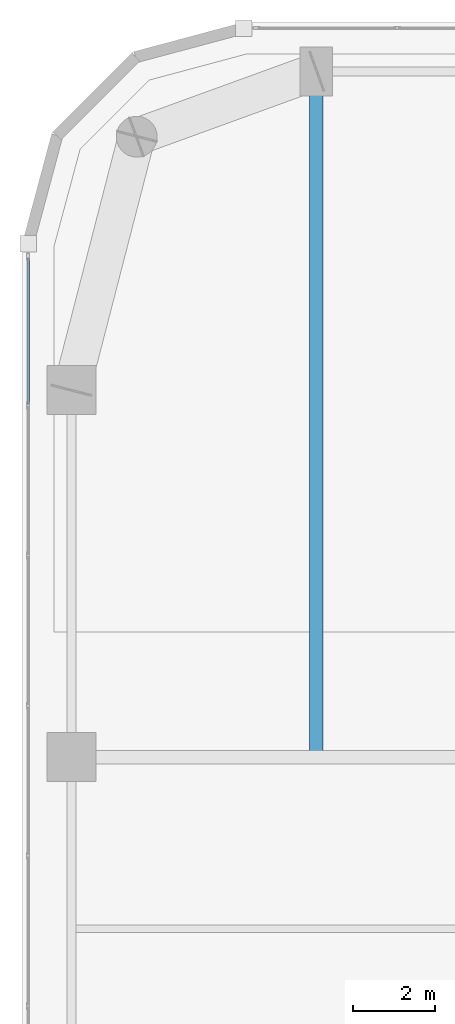
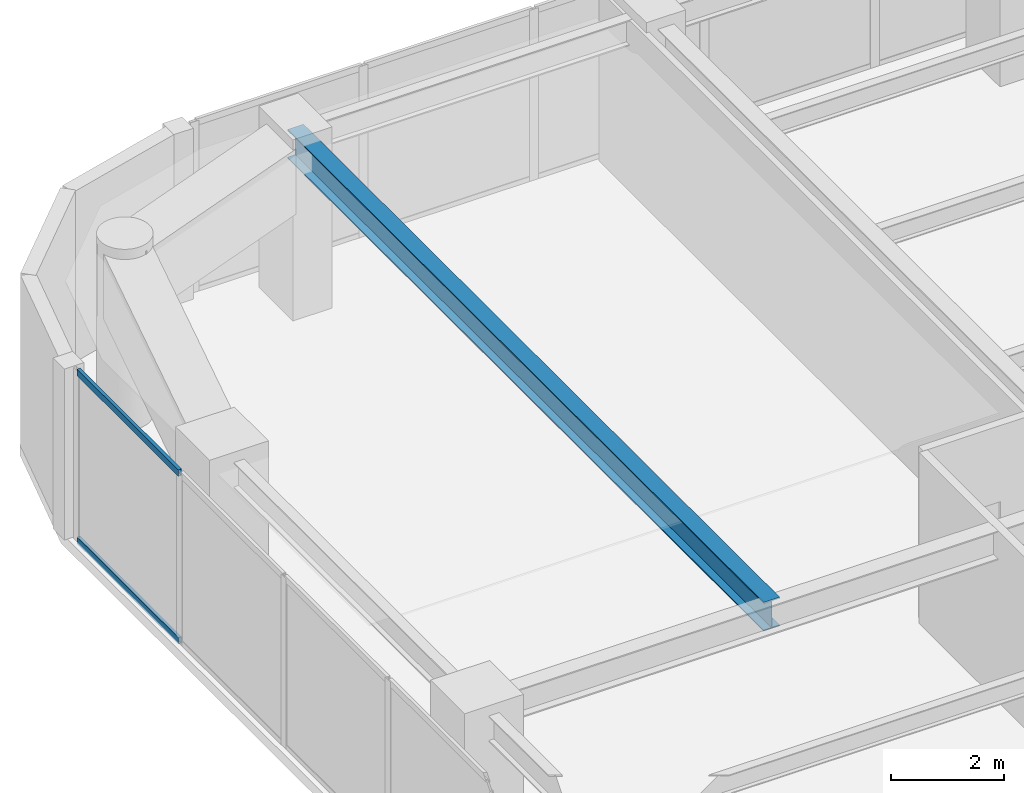
# One storey, part 14 of 30: 2 members, 1 beam, 1 element without a shape of its own.
"""IFC4 building model written with IfcOpenShell, lengths in metres."""

from ifc_helpers import new_model, si_unit, direction, frame, origin, origin_2d, place, context, subcontext, project, spatial, hollow_rectangle, i_section, extrude, material, layer, layer_set, material_profile, profile_set, type_object, element, aggregate, save


model = new_model("IFC4")

# Units and contexts
model_context = context("Model", 3, precision=1e-05, world=origin(), true_north=direction((0.0, 1.0)))
body_context = subcontext(model_context, "Body", "Model", "MODEL_VIEW")
ifc_project = project(units=[si_unit("LENGTHUNIT", "METRE"), si_unit("AREAUNIT", "SQUARE_METRE"), si_unit("VOLUMEUNIT", "CUBIC_METRE"), si_unit("PLANEANGLEUNIT", "RADIAN"), si_unit("MASSUNIT", "GRAM", prefix="KILO")], contexts=[model_context])

# Site, building, storey
site_placement = place(None, origin())
site = spatial("IfcSite", under=ifc_project, at=site_placement, CompositionType="ELEMENT")
building_placement = place(site_placement, origin())
building = spatial("IfcBuilding", under=site, at=building_placement, Name="Kiyonajd Concourse Tower", CompositionType="ELEMENT")
storey_placement = place(building_placement, frame((0.0, 0.0, 162.300048828125)))
storey = spatial("IfcBuildingStorey", under=building, at=storey_placement, Name="L41", CompositionType="ELEMENT", Elevation=162.300048828125)

# Beam
ifc_material_1 = material(Name="Steel ASTM A992 Grade 50", Category="steel")
ifc_material_profile_1 = material_profile(ifc_material_1, i_section(OverallWidth=0.326904296875, OverallDepth=0.6220703125, WebThickness=0.015380859375, FlangeThickness=0.0244140625, at=origin_2d()), Name="W610X195")
ifc_profile_set_1 = profile_set([ifc_material_profile_1], Name="Steel ASTM A992 Grade 50")
beam_type = type_object("IfcBeamType", Name="BM-TWR-610A", PredefinedType="BEAM", material=ifc_profile_set_1)
beam_placement = place(storey_placement, frame((25.199951171875, 44.39990234375, 3.368896484375), z_axis=(0.0, 1.0, 0.0), x_axis=(-1.0, 0.0, 0.0)))
element("IfcBeam", 1, at=beam_placement, inside=storey, type_object=beam_type, Name="L41 North Lease Girder", PredefinedType="BEAM", context=body_context, shape_type="SweptSolid", body=[
    extrude(i_section(OverallWidth=0.326904296875, OverallDepth=0.6220703125, WebThickness=0.015380859375, FlangeThickness=0.0244140625, at=origin_2d()), origin(), (0.0, 0.0, 1.0), 16.800048828125),
])

# Curtain wall, members
ifc_material_2 = material(Name="Thermally Broken Anodised Aluminium", Category="aluminium")
ifc_layer = layer(ifc_material_2, 0.179931640625)
ifc_layer_set = layer_set([ifc_layer], Name="Thermally Broken Anodised Aluminium")
curtain_wall_type = type_object("IfcCurtainWallType", Name="CW-SYS-03", PredefinedType="NOTDEFINED", material=ifc_layer_set)
curtain_wall_placement = place(storey_placement, origin())
curtain_wall = element("IfcCurtainWall", 2, at=curtain_wall_placement, inside=storey, type_object=curtain_wall_type, Name="L41 Unitised Curtain Wall CW3", PredefinedType="NOTDEFINED")
ifc_material_profile_2 = material_profile(ifc_material_2, hollow_rectangle(XDim=0.06494140625, YDim=0.139892578125, WallThickness=0.00390625, at=origin_2d()), Name="TRAN-65x140")
ifc_profile_set_2 = profile_set([ifc_material_profile_2], Name="Thermally Broken Anodised Aluminium")
member_type = type_object("IfcMemberType", Name="MB-CW-TRAN1", PredefinedType="USERDEFINED", material=ifc_profile_set_2)
member_1_placement = place(storey_placement, frame((18.139892578125, 53.047119140625, 0.032470703125), z_axis=(0.0, 1.0, 0.0), x_axis=(-1.0, 0.0, 0.0)))
member_1 = element("IfcMember", 3, at=member_1_placement, type_object=member_type, Name="CW3 transom 6.1", ObjectType="TRANSOM", PredefinedType="USERDEFINED", context=body_context, shape_type="SweptSolid", body=[
    extrude(hollow_rectangle(XDim=0.06494140625, YDim=0.139892578125, WallThickness=0.00390625, at=origin_2d()), origin(), (0.0, 0.0, 1.0), 3.57958984375),
])
member_2_placement = place(storey_placement, frame((18.139892578125, 53.047119140625, 3.6474609375), z_axis=(0.0, 1.0, 0.0), x_axis=(-1.0, 0.0, 0.0)))
member_2 = element("IfcMember", 4, at=member_2_placement, type_object=member_type, Name="CW3 transom 6.2", ObjectType="TRANSOM", PredefinedType="USERDEFINED", context=body_context, shape_type="SweptSolid", body=[
    extrude(hollow_rectangle(XDim=0.06494140625, YDim=0.139892578125, WallThickness=0.00390625, at=origin_2d()), origin(), (0.0, 0.0, 1.0), 3.57958984375),
])
aggregate(curtain_wall, [member_1, member_2])

save(model, "model.ifc")
